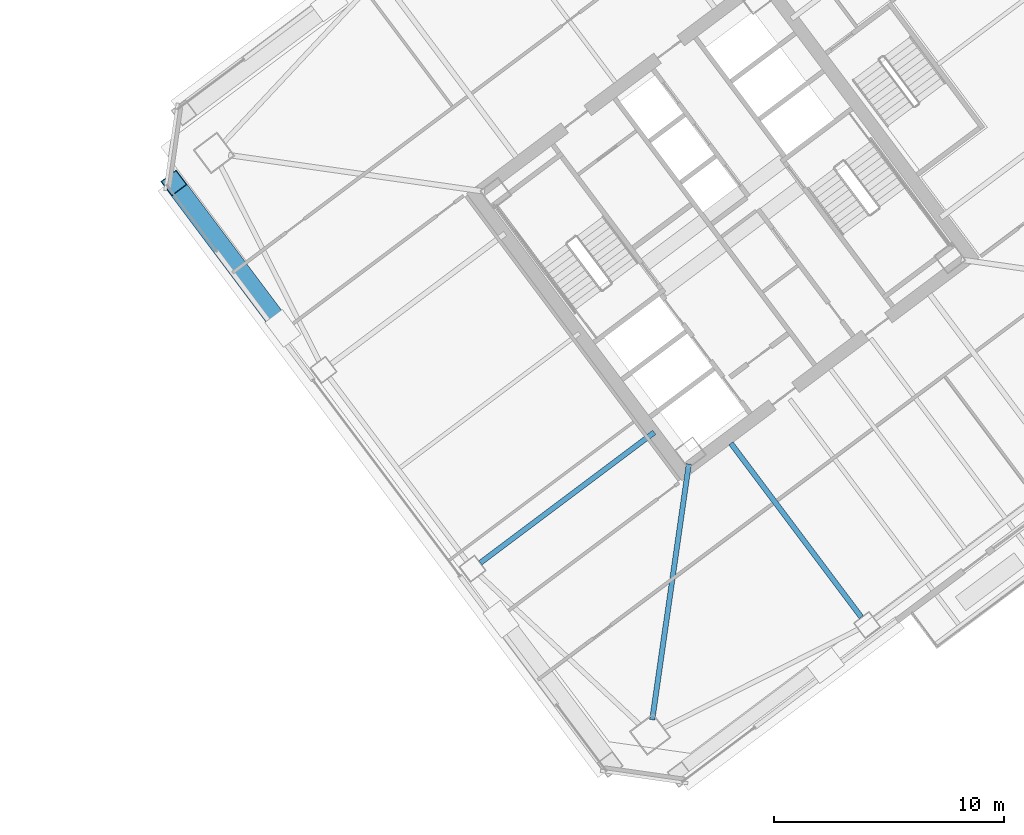
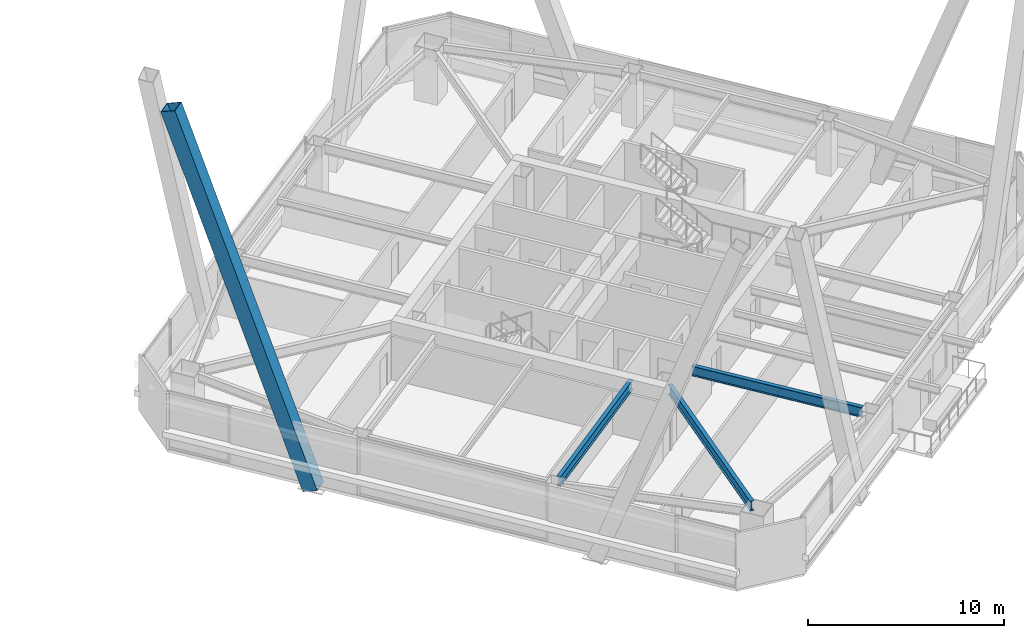
# One storey, part 29 of 54: 3 beams, 1 member.
"""IFC4 building model written with IfcOpenShell, lengths in metres."""

from ifc_helpers import new_model, si_unit, direction, frame, origin, origin_2d, place, context, subcontext, project, spatial, hollow_rectangle, i_section, extrude, material, material_profile, profile_set, type_object, element, save


model = new_model("IFC4")

# Units and contexts
model_context = context("Model", 3, precision=1e-05, world=origin(), true_north=direction((0.0, 1.0)))
body_context = subcontext(model_context, "Body", "Model", "MODEL_VIEW")
ifc_project = project(units=[si_unit("LENGTHUNIT", "METRE"), si_unit("AREAUNIT", "SQUARE_METRE"), si_unit("VOLUMEUNIT", "CUBIC_METRE"), si_unit("PLANEANGLEUNIT", "RADIAN"), si_unit("MASSUNIT", "GRAM", prefix="KILO")], contexts=[model_context])

# Site, building, storey
site_placement = place(None, origin())
site = spatial("IfcSite", under=ifc_project, at=site_placement, CompositionType="ELEMENT")
building_placement = place(site_placement, origin())
building = spatial("IfcBuilding", under=site, at=building_placement, Name="Tashvorn Skyway Center", CompositionType="ELEMENT")
storey_placement = place(building_placement, frame((0.0, 0.0, 135.699951171875)))
storey = spatial("IfcBuildingStorey", under=building, at=storey_placement, Name="L36", CompositionType="ELEMENT", Elevation=135.699951171875)

# Beams
ifc_material_1 = material(Name="Steel ASTM A992 Grade 50", Category="steel")
ifc_material_profile_1 = material_profile(ifc_material_1, i_section(OverallWidth=0.22998046875, OverallDepth=0.616943359375, WebThickness=0.01318359375, FlangeThickness=0.022216796875, at=origin_2d()), Name="W24X94")
ifc_profile_set_1 = profile_set([ifc_material_profile_1], Name="Steel ASTM A992 Grade 50")
beam_type = type_object("IfcBeamType", Name="BM-BEAM-W24X94", PredefinedType="BEAM", material=ifc_profile_set_1)
beam_placement = place(storey_placement, frame((110.93115234375, 10.5185546875, 3.0615234375), z_axis=(0.141430483583, 0.989948189712, 0.0), x_axis=(-0.989948189712, 0.141430483583, 0.0)))
element("IfcBeam", 1, at=beam_placement, inside=storey, type_object=beam_type, Name="Tower 2 L36 Primary Floor Girder MC-SW", PredefinedType="BEAM", context=body_context, shape_type="SweptSolid", body=[
    extrude(i_section(OverallWidth=0.22998046875, OverallDepth=0.616943359375, WebThickness=0.01318359375, FlangeThickness=0.022216796875, at=origin_2d()), origin(), (0.0, 0.0, 1.0), 11.234375),
])
for number, where, z_axis, x_axis, name in (
    (2, (120.01806640625, 14.97607421875, 3.0615234375), (-0.600020667896, 0.799984498661, 0.0), (-0.799984498661, -0.600020667896, 0.0), "Tower 2 L36 Primary Floor Girder FC-S1"),
    (3, (103.4560546875, 17.342041015625, 3.0615234375), (0.800006200354, 0.599991732772, 0.0), (-0.599991732772, 0.800006200354, 0.0), "Tower 2 L36 Primary Floor Girder FC-W2"),
):
    element("IfcBeam", number, at=place(storey_placement, frame(where, z_axis=z_axis, x_axis=x_axis)), inside=storey, type_object=beam_type, Name=name, PredefinedType="BEAM", context=body_context, shape_type="SweptSolid", body=[
        extrude(i_section(OverallWidth=0.22998046875, OverallDepth=0.616943359375, WebThickness=0.01318359375, FlangeThickness=0.022216796875, at=origin_2d()), origin(), (0.0, 0.0, 1.0), 9.449951171875),
    ])

# Member
ifc_material_2 = material(Name="Steel ASTM A572 Grade 50", Category="steel")
ifc_material_profile_2 = material_profile(ifc_material_2, hollow_rectangle(XDim=0.85009765625, YDim=0.85009765625, WallThickness=0.034912109375, at=origin_2d()), Name="BOX850x850x35")
ifc_profile_set_2 = profile_set([ifc_material_profile_2], Name="Steel ASTM A572 Grade 50")
member_type = type_object("IfcMemberType", Name="MEM-MB-850", PredefinedType="BRACE", material=ifc_profile_set_2)
member_placement = place(storey_placement, frame((94.8759765625, 27.531982421875, -0.449951171875), z_axis=(-0.206767363973, 0.27569336859, 0.938744067204), x_axis=(-0.800003708427, -0.599995055399, 0.0)))
element("IfcMember", 4, at=member_placement, inside=storey, type_object=member_type, Name="Tower 2 Zone 3 W Chevron Mega-Brace L2", PredefinedType="BRACE", context=body_context, shape_type="SweptSolid", body=[
    extrude(hollow_rectangle(XDim=0.85009765625, YDim=0.85009765625, WallThickness=0.034912109375, at=origin_2d()), origin(), (0.0, 0.0, 1.0), 22.92431640625),
])

save(model, "model.ifc")
